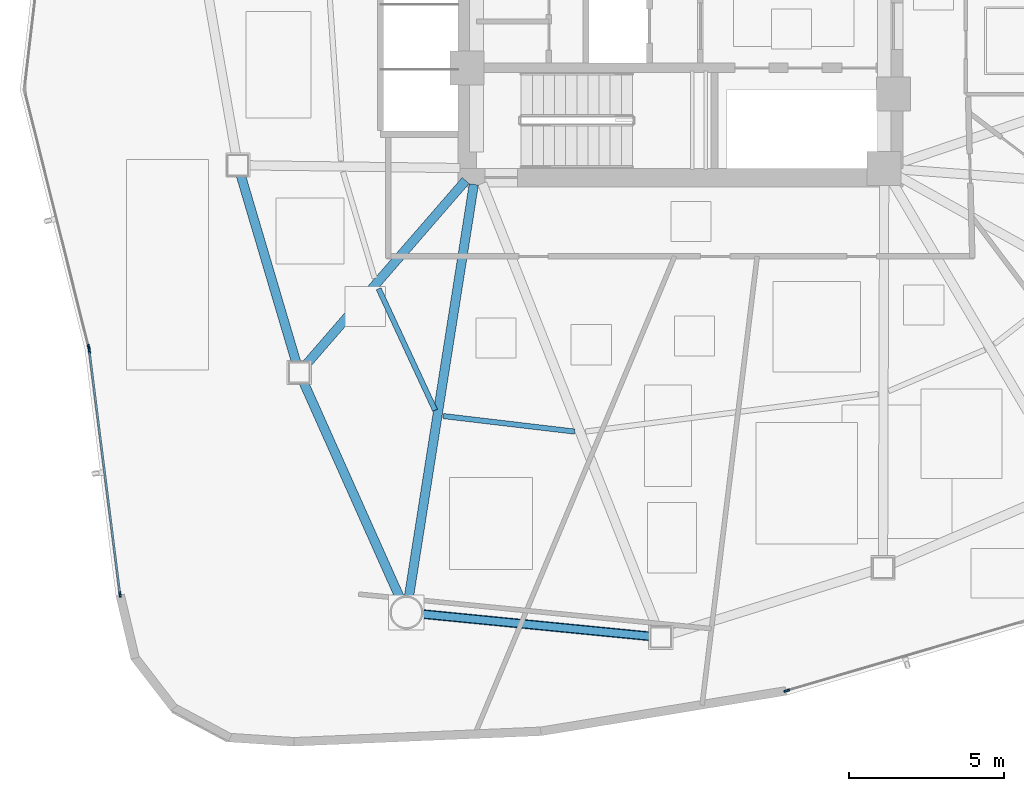
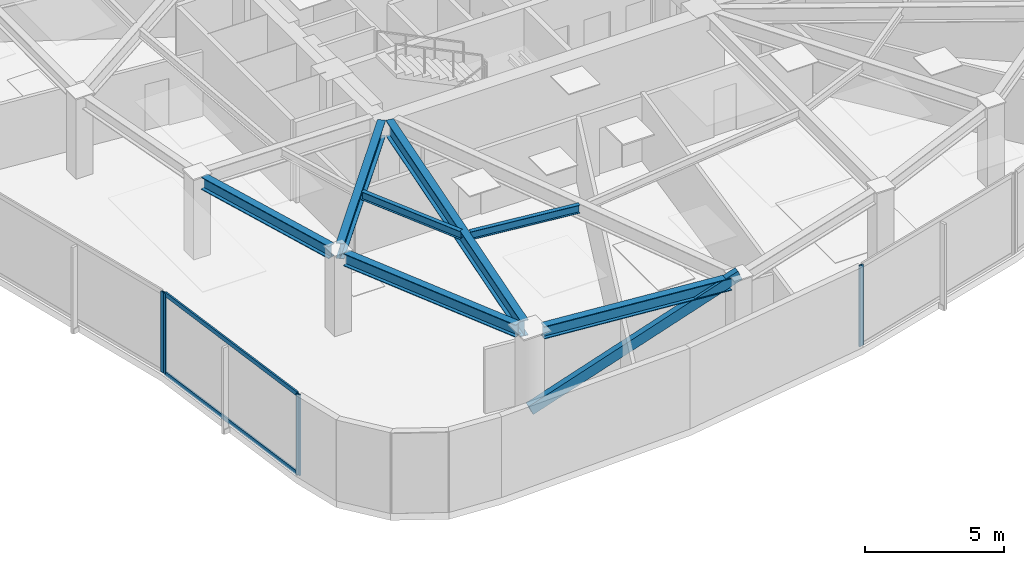
# One storey, part 2 of 17: 7 beams, 7 members, 3 elements without a shape of their own.
"""IFC4 building model written with IfcOpenShell, lengths in metres."""

from ifc_helpers import new_model, si_unit, direction, frame, origin, origin_2d, place, context, subcontext, project, spatial, hollow_rectangle, i_section, extrude, source, transform, mapped, material, layer, layer_set, material_profile, profile_set, type_object, type_shapes, element, aggregate, save


model = new_model("IFC4")

# Units and contexts
model_context = context("Model", 3, precision=1e-05, world=origin(), true_north=direction((0.0, 1.0)))
body_context = subcontext(model_context, "Body", "Model", "MODEL_VIEW")
ifc_project = project(units=[si_unit("LENGTHUNIT", "METRE"), si_unit("AREAUNIT", "SQUARE_METRE"), si_unit("VOLUMEUNIT", "CUBIC_METRE"), si_unit("PLANEANGLEUNIT", "RADIAN"), si_unit("MASSUNIT", "GRAM", prefix="KILO")], contexts=[model_context])

# Site, building, storey
site_placement = place(None, origin())
site = spatial("IfcSite", under=ifc_project, at=site_placement, CompositionType="ELEMENT")
building_placement = place(site_placement, origin())
building = spatial("IfcBuilding", under=site, at=building_placement, Name="Tavelor Broadcast Tower", CompositionType="ELEMENT")
storey_placement = place(building_placement, frame((0.0, 0.0, 115.60009765625)))
storey = spatial("IfcBuildingStorey", under=building, at=storey_placement, Name="L26", CompositionType="ELEMENT", Elevation=115.60009765625)

# Beams
ifc_material_1 = material(Name="Steel S355", Category="steel")
ifc_material_profile_1 = material_profile(ifc_material_1, i_section(OverallWidth=0.169921875, OverallDepth=0.360107421875, WebThickness=0.008056640625, FlangeThickness=0.0126953125, at=origin_2d()), Name="IPE 360")
ifc_profile_set_1 = profile_set([ifc_material_profile_1], Name="Steel S355")
beam_type_1 = type_object("IfcBeamType", Name="Composite Floor Joist T3 IPE 360", PredefinedType="JOIST", material=ifc_profile_set_1)
beam_1_placement = place(storey_placement, frame((40.237548828125, 34.901123046875, 3.369873046875), z_axis=(0.421480014114, -0.906837690936, 0.0), x_axis=(0.906837690936, 0.421480014114, 0.0)))
element("IfcBeam", 1, at=beam_1_placement, inside=storey, type_object=beam_type_1, Name="L26 Secondary Composite Floor Joist 06", PredefinedType="JOIST", context=body_context, shape_type="SweptSolid", body=[
    extrude(i_section(OverallWidth=0.169921875, OverallDepth=0.360107421875, WebThickness=0.008056640625, FlangeThickness=0.0126953125, at=origin_2d()), origin(), (0.0, 0.0, 1.0), 4.337890625),
])
beam_2_placement = place(storey_placement, frame((42.32177734375, 30.781982421875, 3.369873046875), z_axis=(0.993083165759, -0.117413056713, 0.0), x_axis=(0.117413056713, 0.993083165759, 0.0)))
element("IfcBeam", 2, at=beam_2_placement, inside=storey, type_object=beam_type_1, Name="L26 Secondary Composite Floor Joist 07", PredefinedType="JOIST", context=body_context, shape_type="SweptSolid", body=[
    extrude(i_section(OverallWidth=0.169921875, OverallDepth=0.360107421875, WebThickness=0.008056640625, FlangeThickness=0.0126953125, at=origin_2d()), origin(), (0.0, 0.0, 1.0), 4.285400390625),
])
ifc_material_profile_2 = material_profile(ifc_material_1, i_section(OverallWidth=0.300048828125, OverallDepth=0.550048828125, WebThickness=0.014892578125, FlangeThickness=0.029052734375, at=origin_2d()), Name="HEB 550")
ifc_profile_set_2 = profile_set([ifc_material_profile_2], Name="Steel S355")
beam_type_2 = type_object("IfcBeamType", Name="Perimeter Spandrel Beam T3 HEB 550", PredefinedType="SPANDREL", material=ifc_profile_set_2)
beam_3_placement = place(storey_placement, frame((35.7763671875, 38.57763671875, 3.27490234375), z_axis=(0.283996338182, -0.958825364652, 0.0), x_axis=(0.958825364652, 0.283996338182, 0.0)))
element("IfcBeam", 3, at=beam_3_placement, inside=storey, type_object=beam_type_2, Name="L26 Framed-Tube Ring Spandrel 05", PredefinedType="SPANDREL", context=body_context, shape_type="SweptSolid", body=[
    extrude(i_section(OverallWidth=0.300048828125, OverallDepth=0.550048828125, WebThickness=0.014892578125, FlangeThickness=0.029052734375, at=origin_2d()), origin(), (0.0, 0.0, 1.0), 6.325439453125),
])
beam_4_placement = place(storey_placement, frame((37.80517578125, 31.883544921875, 3.27490234375), z_axis=(0.407977377403, -0.912992036946, 0.0), x_axis=(0.912992036946, 0.407977377403, 0.0)))
element("IfcBeam", 4, at=beam_4_placement, inside=storey, type_object=beam_type_2, Name="L26 Framed-Tube Ring Spandrel 06", PredefinedType="SPANDREL", context=body_context, shape_type="SweptSolid", body=[
    extrude(i_section(OverallWidth=0.300048828125, OverallDepth=0.550048828125, WebThickness=0.014892578125, FlangeThickness=0.029052734375, at=origin_2d()), origin(), (0.0, 0.0, 1.0), 7.658447265625),
])
beam_5_placement = place(storey_placement, frame((41.6484375, 24.373779296875, 3.27490234375), z_axis=(0.995250868203, -0.097343255237, 0.0), x_axis=(0.097343255237, 0.995250868203, 0.0)))
element("IfcBeam", 5, at=beam_5_placement, inside=storey, type_object=beam_type_2, Name="L26 Framed-Tube Ring Spandrel 07", PredefinedType="SPANDREL", context=body_context, shape_type="SweptSolid", body=[
    extrude(i_section(OverallWidth=0.300048828125, OverallDepth=0.550048828125, WebThickness=0.014892578125, FlangeThickness=0.029052734375, at=origin_2d()), origin(), (0.0, 0.0, 1.0), 7.418701171875),
])

# Member
ifc_material_profile_3 = material_profile(ifc_material_1, hollow_rectangle(XDim=0.25, YDim=0.449951171875, WallThickness=0.02001953125, at=origin_2d()), Name="RHS 450x250x20")
ifc_profile_set_3 = profile_set([ifc_material_profile_3], Name="Steel S355")
member_type_1 = type_object("IfcMemberType", Name="Perimeter Tube Brace T3 RHS 450x250x20", PredefinedType="BRACE", material=ifc_profile_set_3)
member_1_placement = place(storey_placement, frame((41.138671875, 24.423828125, 0.0), z_axis=(0.914506155646, -0.089466983032, 0.394555636423), x_axis=(0.097366094377, 0.995248634094, 0.0)))
element("IfcMember", 6, at=member_1_placement, inside=storey, type_object=member_type_1, Name="L26 Corner Tube Diagonal Brace 2", PredefinedType="BRACE", context=body_context, shape_type="SweptSolid", body=[
    extrude(hollow_rectangle(XDim=0.25, YDim=0.449951171875, WallThickness=0.02001953125, at=origin_2d()), origin(), (0.0, 0.0, 1.0), 8.9970703125),
])

# Beams
ifc_material_profile_4 = material_profile(ifc_material_1, i_section(OverallWidth=0.300048828125, OverallDepth=0.68994140625, WebThickness=0.014404296875, FlangeThickness=0.027099609375, at=origin_2d()), Name="HEA 700")
ifc_profile_set_4 = profile_set([ifc_material_profile_4], Name="Steel S355")
beam_type_3 = type_object("IfcBeamType", Name="Radial Floor Girder T3 HEA 700", PredefinedType="BEAM", material=ifc_profile_set_4)
beam_6_placement = place(storey_placement, frame((43.05419921875, 38.401123046875, 3.204833984375), z_axis=(-0.655166261537, -0.755484725024, 0.0), x_axis=(0.755484725024, -0.655166261537, 0.0)))
element("IfcBeam", 7, at=beam_6_placement, inside=storey, type_object=beam_type_3, Name="L26 Radial Primary Floor Girder 06", PredefinedType="BEAM", context=body_context, shape_type="SweptSolid", body=[
    extrude(i_section(OverallWidth=0.300048828125, OverallDepth=0.68994140625, WebThickness=0.014404296875, FlangeThickness=0.027099609375, at=origin_2d()), origin(), (0.0, 0.0, 1.0), 7.885009765625),
])
beam_7_placement = place(storey_placement, frame((43.318115234375, 38.2783203125, 3.204833984375), z_axis=(-0.1553975273, -0.987852017515, 0.0), x_axis=(0.987852017515, -0.1553975273, 0.0)))
element("IfcBeam", 8, at=beam_7_placement, inside=storey, type_object=beam_type_3, Name="L26 Radial Primary Floor Girder 07", PredefinedType="BEAM", context=body_context, shape_type="SweptSolid", body=[
    extrude(i_section(OverallWidth=0.300048828125, OverallDepth=0.68994140625, WebThickness=0.014404296875, FlangeThickness=0.027099609375, at=origin_2d()), origin(), (0.0, 0.0, 1.0), 13.5126953125),
])

# Curtain wall, member
ifc_material_2 = material(Name="Architectural Anodized Aluminium", Category="aluminium")
ifc_layer = layer(ifc_material_2, 0.18994140625)
ifc_layer_set = layer_set([ifc_layer], Name="Architectural Anodized Aluminium")
curtain_wall_type = type_object("IfcCurtainWallType", Name="Tower Mid-Zone Acoustic Curtain Wall CW03", PredefinedType="NOTDEFINED", material=ifc_layer_set)
curtain_wall_1_placement = place(storey_placement, origin())
curtain_wall_1 = element("IfcCurtainWall", 9, at=curtain_wall_1_placement, inside=storey, type_object=curtain_wall_type, Name="L26 Curtain Wall CW03 Run 255", PredefinedType="NOTDEFINED")
ifc_material_profile_5 = material_profile(ifc_material_2, hollow_rectangle(XDim=0.068115234375, YDim=0.18994140625, WallThickness=0.02197265625, at=origin_2d()), Name="RHS 68x190x22")
ifc_profile_set_5 = profile_set([ifc_material_profile_5], Name="Architectural Anodized Aluminium")
member_type_2 = type_object("IfcMemberType", Name="CW03 Extruded Aluminium Mullion 68x190", PredefinedType="MULLION", material=ifc_profile_set_5)
shared_shape_1 = source(origin(), body_context, "Body", "SweptSolid", [
    extrude(hollow_rectangle(XDim=0.068115234375, YDim=0.18994140625, WallThickness=0.02197265625, at=origin_2d()), origin(), (0.0, 0.0, 1.0), 3.5498046875),
])
type_shapes(member_type_2, [shared_shape_1])
member_2_placement = place(storey_placement, frame((30.8564453125, 33.004150390625, 0.0), z_axis=(0.0, 0.0, 1.0), x_axis=(0.970250901494, 0.242101607078, 0.0)))
member_2 = element("IfcMember", 10, at=member_2_placement, type_object=member_type_2, Name="CW03 mullion 2", PredefinedType="MULLION", context=body_context, shape_type="MappedRepresentation", body=[
    mapped(shared_shape_1, transform((0.0, 0.0, 0.0), scale=1.0)),
])
aggregate(curtain_wall_1, [member_2])

# Curtain wall, members
curtain_wall_2_placement = place(storey_placement, origin())
curtain_wall_2 = element("IfcCurtainWall", 11, at=curtain_wall_2_placement, inside=storey, type_object=curtain_wall_type, Name="L26 Curtain Wall CW03 Run 256", PredefinedType="NOTDEFINED")
member_3_placement = place(storey_placement, frame((30.874267578125, 32.907958984375, 0.0), z_axis=(0.0, 0.0, 1.0), x_axis=(0.992165690366, 0.124928951254, 0.0)))
member_3 = element("IfcMember", 12, at=member_3_placement, type_object=member_type_2, Name="CW03 mullion 1", PredefinedType="MULLION", context=body_context, shape_type="MappedRepresentation", body=[
    mapped(shared_shape_1, transform((0.0, 0.0, 0.0), scale=1.0)),
])
member_4_placement = place(storey_placement, frame((31.8681640625, 25.0146484375, 0.0), z_axis=(0.0, 0.0, 1.0), x_axis=(0.992165690366, 0.124928951254, 0.0)))
member_4 = element("IfcMember", 13, at=member_4_placement, type_object=member_type_2, Name="CW03 mullion 2", PredefinedType="MULLION", context=body_context, shape_type="MappedRepresentation", body=[
    mapped(shared_shape_1, transform((0.0, 0.0, 0.0), scale=1.0)),
])

# Curtain wall, member
curtain_wall_3_placement = place(storey_placement, origin())
curtain_wall_3 = element("IfcCurtainWall", 14, at=curtain_wall_3_placement, inside=storey, type_object=curtain_wall_type, Name="L26 Curtain Wall CW03 Run 257", PredefinedType="NOTDEFINED")
member_5_placement = place(storey_placement, frame((53.44580078125, 21.893310546875, 0.0), z_axis=(0.0, 0.0, 1.0), x_axis=(-0.281081429324, 0.959683921971, 0.0)))
member_5 = element("IfcMember", 15, at=member_5_placement, type_object=member_type_2, Name="CW03 mullion 1", PredefinedType="MULLION", context=body_context, shape_type="MappedRepresentation", body=[
    mapped(shared_shape_1, transform((0.0, 0.0, 0.0), scale=1.0)),
])
aggregate(curtain_wall_3, [member_5])

# Member
ifc_material_profile_6 = material_profile(ifc_material_2, hollow_rectangle(XDim=0.068115234375, YDim=0.18994140625, WallThickness=0.02197265625, at=origin_2d()), Name="RHS 68x190x22")
ifc_profile_set_6 = profile_set([ifc_material_profile_6], Name="Architectural Anodized Aluminium")
member_type_3 = type_object("IfcMemberType", Name="CW03 Extruded Aluminium Transom 68x190", PredefinedType="USERDEFINED", material=ifc_profile_set_6)
shared_shape_2 = source(origin(), body_context, "Body", "SweptSolid", [
    extrude(hollow_rectangle(XDim=0.068115234375, YDim=0.18994140625, WallThickness=0.02197265625, at=origin_2d()), origin(), (0.0, 0.0, 1.0), 7.8876953125),
])
type_shapes(member_type_3, [shared_shape_2])
member_6_placement = place(storey_placement, frame((30.878662109375, 32.874267578125, 0.033935546875), z_axis=(0.124922293239, -0.99216652869, 0.0), x_axis=(0.99216652869, 0.124922293239, 0.0)))
member_6 = element("IfcMember", 16, at=member_6_placement, type_object=member_type_3, Name="CW03 transom 1.1", ObjectType="TRANSOM", PredefinedType="USERDEFINED", context=body_context, shape_type="MappedRepresentation", body=[
    mapped(shared_shape_2, transform((0.0, 0.0, 0.0), scale=1.0)),
])

member_7_placement = place(storey_placement, frame((30.878662109375, 32.874267578125, 3.515869140625), z_axis=(0.124922293239, -0.99216652869, 0.0), x_axis=(0.99216652869, 0.124922293239, 0.0)))
member_7 = element("IfcMember", 17, at=member_7_placement, type_object=member_type_3, Name="CW03 transom 1.2", ObjectType="TRANSOM", PredefinedType="USERDEFINED", context=body_context, shape_type="MappedRepresentation", body=[
    mapped(shared_shape_2, transform((0.0, 0.0, 0.0), scale=1.0)),
])

aggregate(curtain_wall_2, [member_3, member_4, member_6, member_7])

save(model, "model.ifc")
